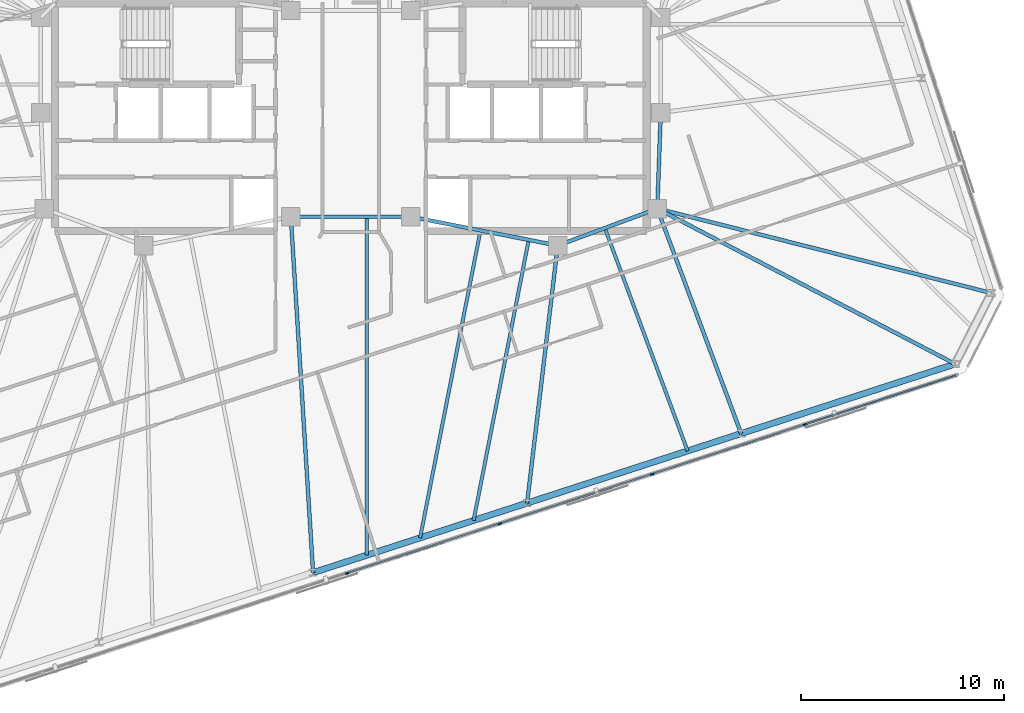
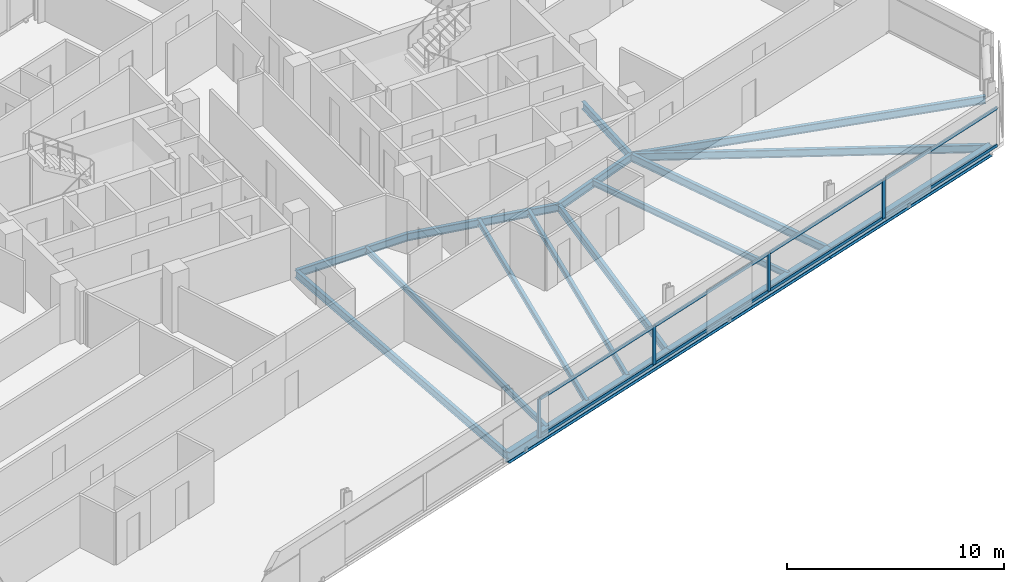
# One storey, part 7 of 19: 16 beams, 12 members, 1 element without a shape of its own.
"""IFC4 building model written with IfcOpenShell, lengths in metres."""

import ifcopenshell
import ifcopenshell.guid

model = None  # the IFC model being written
_history = None  # IfcOwnerHistory: only IFC2X3 demands one
_inside = {}  # id of a spatial element -> (the spatial element, [elements in it])
_under = {}  # id of a project, library or spatial element -> (it, [spatial elements below it])
_declared = {}  # id of a project -> (the project, [libraries it declares])
_typed = {}  # id of a type object -> (the type object, [elements of that type])
_made_of = {}  # id of a material, layer set ... -> (it, [elements and type objects made of it])


def new_model(schema):
    """Start an empty IFC model of exactly this schema.

    Asked for "IFC4X3", IfcOpenShell would pick the latest addendum, in which some entities
    have other attributes; the version numbers below select the first issue.
    IFC2X3 requires an IfcOwnerHistory on every rooted entity: one is made here for all.
    """
    global model, _history
    if schema == "IFC4X3":
        model = ifcopenshell.file(schema_version=(4, 3, 0, 0))
    else:
        model = ifcopenshell.file(schema=schema)
    _inside.clear()
    _under.clear()
    _declared.clear()
    _typed.clear()
    _made_of.clear()
    _history = None
    if model.schema == "IFC2X3":
        org = make("IfcOrganization", Name="unknown")
        user = make(
            "IfcPersonAndOrganization",
            ThePerson=make("IfcPerson", FamilyName="unknown"),
            TheOrganization=org,
        )
        app = make(
            "IfcApplication",
            ApplicationDeveloper=org,
            Version="unknown",
            ApplicationFullName="unknown",
            ApplicationIdentifier="unknown",
        )
        _history = make(
            "IfcOwnerHistory",
            OwningUser=user,
            OwningApplication=app,
            ChangeAction="ADDED",
            CreationDate=0,
        )
    return model


def make(cls, **values):
    """One entity of the class cls with the attributes given. An attribute that is None is left unset."""
    return model.create_entity(
        cls, **{name: value for name, value in values.items() if value is not None}
    )


def rooted(cls, **values):
    """An entity with a GlobalId (a new one), such as an element, a storey or a relation."""
    return make(cls, GlobalId=ifcopenshell.guid.new(), OwnerHistory=_history, **values)


def si_unit(unit_type, name, prefix=None):
    """IfcSIUnit, for example si_unit("LENGTHUNIT", "METRE", prefix="MILLI")."""
    return make("IfcSIUnit", UnitType=unit_type, Prefix=prefix, Name=name)


def assignment(units):
    """IfcUnitAssignment: the units of a project."""
    return None if units is None else make("IfcUnitAssignment", Units=units)


def point(xyz):
    """IfcCartesianPoint."""
    return None if xyz is None else make("IfcCartesianPoint", Coordinates=xyz)


def direction(xyz):
    """IfcDirection."""
    return None if xyz is None else make("IfcDirection", DirectionRatios=xyz)


def frame(location, z_axis=None, x_axis=None):
    """IfcAxis2Placement3D, a coordinate frame: its origin and axes. An axis left out is left unset."""
    return make(
        "IfcAxis2Placement3D",
        Location=point(location),
        Axis=direction(z_axis),
        RefDirection=direction(x_axis),
    )


def frame_2d(location, x_axis=None):
    """IfcAxis2Placement2D, a coordinate frame in the plane: its origin and x axis."""
    return make(
        "IfcAxis2Placement2D", Location=point(location), RefDirection=direction(x_axis)
    )


def origin():
    """The frame at (0, 0, 0) with its axes left unset."""
    return frame((0.0, 0.0, 0.0))


def origin_2d():
    """The frame at (0, 0) in the plane with its x axis left unset."""
    return frame_2d((0.0, 0.0))


def place(relative_to, where):
    """IfcLocalPlacement: puts the frame where relative to a parent placement (None: the world)."""
    return make(
        "IfcLocalPlacement", PlacementRelTo=relative_to, RelativePlacement=where
    )


def context(
    kind, dimensions, precision=None, world=None, true_north=None, identifier=None
):
    """IfcGeometricRepresentationContext, for example the 3D "Model" context."""
    return make(
        "IfcGeometricRepresentationContext",
        ContextIdentifier=identifier,
        ContextType=kind,
        CoordinateSpaceDimension=dimensions,
        Precision=precision,
        WorldCoordinateSystem=world,
        TrueNorth=true_north,
    )


def subcontext(parent, identifier, kind, view, scale=None):
    """IfcGeometricRepresentationSubContext, for example "Body" below "Model"."""
    return make(
        "IfcGeometricRepresentationSubContext",
        ContextIdentifier=identifier,
        ContextType=kind,
        ParentContext=parent,
        TargetScale=scale,
        TargetView=view,
    )


def project(units=None, contexts=None):
    """IfcProject with its units and contexts."""
    return rooted(
        "IfcProject",
        Name="project",
        RepresentationContexts=contexts,
        UnitsInContext=assignment(units),
    )


def spatial(cls, under=None, at=None, **own):
    """A site, building, storey or space (cls), placed at a placement, below another one or the project."""
    s = rooted(cls, ObjectPlacement=at, **own)
    if under is not None:
        _under.setdefault(under.id(), (under, []))[1].append(s)
    return s


def profile(cls, at=None, kind="AREA", **sizes):
    """A parametric profile (cls). Its sizes go by their IFC names, for example OverallWidth=200.0."""
    return make(cls, ProfileType=kind, Position=at, **sizes)


def rectangle(**sizes):
    """IfcRectangleProfileDef."""
    return profile("IfcRectangleProfileDef", **sizes)


def i_section(**sizes):
    """IfcIShapeProfileDef."""
    return profile("IfcIShapeProfileDef", **sizes)


def extrude(swept, where, along, depth):
    """IfcExtrudedAreaSolid: the profile swept, set in the frame where, extruded along a direction by depth."""
    return make(
        "IfcExtrudedAreaSolid",
        SweptArea=swept,
        Position=where,
        ExtrudedDirection=direction(along),
        Depth=depth,
    )


def shape(context_of_items, identifier, shape_type, items):
    """IfcShapeRepresentation: the items that make up one representation, for example the "Body"."""
    return make(
        "IfcShapeRepresentation",
        ContextOfItems=context_of_items,
        RepresentationIdentifier=identifier,
        RepresentationType=shape_type,
        Items=items,
    )


def material(Name=None, Category=None):
    """IfcMaterial."""
    return make("IfcMaterial", Name=Name, Category=Category)


def material_profile(
    of_material, cross_section, Name=None, Category=None, Priority=None
):
    """IfcMaterialProfile: a cross section and its material."""
    return make(
        "IfcMaterialProfile",
        Name=Name,
        Material=of_material,
        Profile=cross_section,
        Priority=Priority,
        Category=Category,
    )


def profile_set(profiles, Name=None, composite=None):
    """IfcMaterialProfileSet."""
    return make(
        "IfcMaterialProfileSet",
        Name=Name,
        MaterialProfiles=profiles,
        CompositeProfile=composite,
    )


def made_of(thing, what):
    """Note that an element or type object is made of a material, layer set ...; save() writes the relation."""
    if what is not None:
        _made_of.setdefault(what.id(), (what, []))[1].append(thing)
    return thing


def type_object(cls, material=None, **own):
    """A type object (cls), such as IfcWallType, which elements share."""
    return made_of(rooted(cls, **own), material)


def element(
    cls,
    number,
    at=None,
    inside=None,
    cuts=None,
    type_object=None,
    material=None,
    context=None,
    identifier="Body",
    shape_type=None,
    held_by="IfcProductDefinitionShape",
    body=None,
    shapes=None,
    **own,
):
    """One element of the class cls, such as IfcWall. Its Tag is "e" and its number.

    at: its placement. inside: the storey or other place that contains it. cuts: it is an
    opening in that element (IfcRelVoidsElement). A single representation is given by context,
    identifier, shape_type and body (its items); several are given by shapes. held_by: the class
    of the entity that holds the representations. save() writes the other relations.
    """
    e = rooted(cls, Tag="e%d" % number, ObjectPlacement=at, **own)
    if body is not None:
        shapes = [shape(context, identifier, shape_type, body)]
    if shapes is not None:
        e.Representation = make(held_by, Representations=shapes)
    if inside is not None:
        _inside.setdefault(inside.id(), (inside, []))[1].append(e)
    if cuts is not None:
        rooted(
            "IfcRelVoidsElement", RelatingBuildingElement=cuts, RelatedOpeningElement=e
        )
    if type_object is not None:
        _typed.setdefault(type_object.id(), (type_object, []))[1].append(e)
    return made_of(e, material)


def aggregate(whole, parts):
    """IfcRelAggregates: a whole, such as a stair, and the parts it consists of."""
    return rooted("IfcRelAggregates", RelatingObject=whole, RelatedObjects=parts)


def save(model, path):
    """Write the relations noted so far, then the file.

    IfcRelAggregates (storeys below a building ...), IfcRelContainedInSpatialStructure (elements
    in a storey), IfcRelDefinesByType, IfcRelAssociatesMaterial and IfcRelDeclares: one each for
    every whole, place, type object, material and project.
    """
    for whole, parts in _under.values():
        aggregate(whole, parts)
    for where, things in _inside.values():
        rooted(
            "IfcRelContainedInSpatialStructure",
            RelatedElements=things,
            RelatingStructure=where,
        )
    for kind, things in _typed.values():
        rooted("IfcRelDefinesByType", RelatedObjects=things, RelatingType=kind)
    for what, things in _made_of.values():
        rooted("IfcRelAssociatesMaterial", RelatedObjects=things, RelatingMaterial=what)
    for by, libraries in _declared.values():
        rooted("IfcRelDeclares", RelatingContext=by, RelatedDefinitions=libraries)
    model.write(path)


model = new_model("IFC4")

# Units and contexts
model_context = context("Model", 3, precision=1e-05, world=origin(), true_north=direction((0.0, 1.0)))
body_context = subcontext(model_context, "Body", "Model", "MODEL_VIEW")
ifc_project = project(units=[si_unit("LENGTHUNIT", "METRE"), si_unit("AREAUNIT", "SQUARE_METRE"), si_unit("VOLUMEUNIT", "CUBIC_METRE"), si_unit("PLANEANGLEUNIT", "RADIAN"), si_unit("MASSUNIT", "GRAM", prefix="KILO")], contexts=[model_context])

# Site, building, storey
site_placement = place(None, origin())
site = spatial("IfcSite", under=ifc_project, at=site_placement, CompositionType="ELEMENT")
building_placement = place(site_placement, origin())
building = spatial("IfcBuilding", under=site, at=building_placement, Name="Menara Jurai Vektor", CompositionType="ELEMENT")
storey_placement = place(building_placement, frame((0.0, 0.0, 251.10009765625)))
storey = spatial("IfcBuildingStorey", under=building, at=storey_placement, Name="L67", CompositionType="ELEMENT", Elevation=251.10009765625)

# Curtain wall, members
ifc_material_1 = material(Name="Anodised Pale Aluminium & Low-E Double Glazing", Category="aluminium")
curtain_wall_type = type_object("IfcCurtainWallType", Name="CW-BLK4", PredefinedType="NOTDEFINED", material=ifc_material_1)
curtain_wall_placement = place(storey_placement, origin())
curtain_wall = element("IfcCurtainWall", 1, at=curtain_wall_placement, inside=storey, type_object=curtain_wall_type, Name="Unitised Curtain Wall L67 F01", PredefinedType="NOTDEFINED")
ifc_material_2 = material(Name="Anodised Pale Aluminium Mullion", Category="aluminium")
ifc_material_profile_1 = material_profile(ifc_material_2, rectangle(XDim=0.080078125, YDim=0.18994140625, at=origin_2d()), Name="ALU MUL 80x190")
ifc_profile_set_1 = profile_set([ifc_material_profile_1], Name="Anodised Pale Aluminium Mullion")
member_type_1 = type_object("IfcMemberType", Name="CW-BLK4-MUL", PredefinedType="MULLION", material=ifc_profile_set_1)
member_1_placement = place(storey_placement, frame((-0.17236328125, -22.4404296875, 0.0), z_axis=(0.0, 0.0, 1.0), x_axis=(-0.309017344167, 0.951056402641, 0.0)))
member_1 = element("IfcMember", 2, at=member_1_placement, type_object=member_type_1, Name="CW-04 mullion 4", PredefinedType="MULLION", context=body_context, shape_type="SweptSolid", body=[
    extrude(rectangle(XDim=0.080078125, YDim=0.18994140625, at=origin_2d()), origin(), (0.0, 0.0, 1.0), 2.1748046875),
])
member_2_placement = place(storey_placement, frame((7.3330078125, -20.001953125, 0.0), z_axis=(0.0, 0.0, 1.0), x_axis=(-0.309017344167, 0.951056402641, 0.0)))
member_2 = element("IfcMember", 3, at=member_2_placement, type_object=member_type_1, Name="CW-04 mullion 5", PredefinedType="MULLION", context=body_context, shape_type="SweptSolid", body=[
    extrude(rectangle(XDim=0.080078125, YDim=0.18994140625, at=origin_2d()), origin(), (0.0, 0.0, 1.0), 2.1748046875),
])
member_3_placement = place(storey_placement, frame((14.838134765625, -17.563232421875, 0.0), z_axis=(0.0, 0.0, 1.0), x_axis=(-0.309017344167, 0.951056402641, 0.0)))
member_3 = element("IfcMember", 4, at=member_3_placement, type_object=member_type_1, Name="CW-04 mullion 6", PredefinedType="MULLION", context=body_context, shape_type="SweptSolid", body=[
    extrude(rectangle(XDim=0.080078125, YDim=0.18994140625, at=origin_2d()), origin(), (0.0, 0.0, 1.0), 2.1748046875),
])
member_4_placement = place(storey_placement, frame((22.34326171875, -15.124755859375, 0.0), z_axis=(0.0, 0.0, 1.0), x_axis=(-0.309017344167, 0.951056402641, 0.0)))
member_4 = element("IfcMember", 5, at=member_4_placement, type_object=member_type_1, Name="CW-04 mullion 7", PredefinedType="MULLION", context=body_context, shape_type="SweptSolid", body=[
    extrude(rectangle(XDim=0.080078125, YDim=0.18994140625, at=origin_2d()), origin(), (0.0, 0.0, 1.0), 2.1748046875),
])
ifc_material_3 = material(Name="Anodised Pale Aluminium Transom", Category="aluminium")
ifc_material_profile_2 = material_profile(ifc_material_3, rectangle(XDim=0.080078125, YDim=0.1650390625, at=origin_2d()), Name="ALU TRN 80x165")
ifc_profile_set_2 = profile_set([ifc_material_profile_2], Name="Anodised Pale Aluminium Transom")
member_type_2 = type_object("IfcMemberType", Name="CW-BLK4-TRN", PredefinedType="USERDEFINED", material=ifc_profile_set_2)
member_5_placement = place(storey_placement, frame((-0.13427734375, -22.427978515625, 0.039794921875), z_axis=(0.951059330237, 0.309008333817, 0.0), x_axis=(-0.309008333817, 0.951059330237, 0.0)))
member_5 = element("IfcMember", 6, at=member_5_placement, type_object=member_type_2, Name="CW-04 transom 4.1", ObjectType="TRANSOM", PredefinedType="USERDEFINED", context=body_context, shape_type="SweptSolid", body=[
    extrude(rectangle(XDim=0.080078125, YDim=0.1650390625, at=origin_2d()), origin(), (0.0, 0.0, 1.0), 7.8115234375),
])
member_6_placement = place(storey_placement, frame((-0.13427734375, -22.427978515625, 2.135009765625), z_axis=(0.951059330237, 0.309008333817, 0.0), x_axis=(-0.309008333817, 0.951059330237, 0.0)))
member_6 = element("IfcMember", 7, at=member_6_placement, type_object=member_type_2, Name="CW-04 transom 4.2", ObjectType="TRANSOM", PredefinedType="USERDEFINED", context=body_context, shape_type="SweptSolid", body=[
    extrude(rectangle(XDim=0.080078125, YDim=0.1650390625, at=origin_2d()), origin(), (0.0, 0.0, 1.0), 7.8115234375),
])
member_7_placement = place(storey_placement, frame((7.37109375, -19.989501953125, 0.039794921875), z_axis=(0.95105634578, 0.309017519167, 0.0), x_axis=(-0.309017519167, 0.95105634578, 0.0)))
member_7 = element("IfcMember", 8, at=member_7_placement, type_object=member_type_2, Name="CW-04 transom 5.1", ObjectType="TRANSOM", PredefinedType="USERDEFINED", context=body_context, shape_type="SweptSolid", body=[
    extrude(rectangle(XDim=0.080078125, YDim=0.1650390625, at=origin_2d()), origin(), (0.0, 0.0, 1.0), 7.811279296875),
])
member_8_placement = place(storey_placement, frame((7.37109375, -19.989501953125, 2.135009765625), z_axis=(0.95105634578, 0.309017519167, 0.0), x_axis=(-0.309017519167, 0.95105634578, 0.0)))
member_8 = element("IfcMember", 9, at=member_8_placement, type_object=member_type_2, Name="CW-04 transom 5.2", ObjectType="TRANSOM", PredefinedType="USERDEFINED", context=body_context, shape_type="SweptSolid", body=[
    extrude(rectangle(XDim=0.080078125, YDim=0.1650390625, at=origin_2d()), origin(), (0.0, 0.0, 1.0), 7.811279296875),
])
member_9_placement = place(storey_placement, frame((14.876220703125, -17.551025390625, 0.039794921875), z_axis=(0.95104715984, 0.309045789099, 0.0), x_axis=(-0.309045789099, 0.95104715984, 0.0)))
member_9 = element("IfcMember", 10, at=member_9_placement, type_object=member_type_2, Name="CW-04 transom 6.1", ObjectType="TRANSOM", PredefinedType="USERDEFINED", context=body_context, shape_type="SweptSolid", body=[
    extrude(rectangle(XDim=0.080078125, YDim=0.1650390625, at=origin_2d()), origin(), (0.0, 0.0, 1.0), 7.811279296875),
])
member_10_placement = place(storey_placement, frame((14.876220703125, -17.551025390625, 2.135009765625), z_axis=(0.95104715984, 0.309045789099, 0.0), x_axis=(-0.309045789099, 0.95104715984, 0.0)))
member_10 = element("IfcMember", 11, at=member_10_placement, type_object=member_type_2, Name="CW-04 transom 6.2", ObjectType="TRANSOM", PredefinedType="USERDEFINED", context=body_context, shape_type="SweptSolid", body=[
    extrude(rectangle(XDim=0.080078125, YDim=0.1650390625, at=origin_2d()), origin(), (0.0, 0.0, 1.0), 7.811279296875),
])
member_11_placement = place(storey_placement, frame((22.38134765625, -15.1123046875, 0.039794921875), z_axis=(0.951062230089, 0.308999408573, 0.0), x_axis=(-0.308999408573, 0.951062230089, 0.0)))
member_11 = element("IfcMember", 12, at=member_11_placement, type_object=member_type_2, Name="CW-04 transom 7.1", ObjectType="TRANSOM", PredefinedType="USERDEFINED", context=body_context, shape_type="SweptSolid", body=[
    extrude(rectangle(XDim=0.080078125, YDim=0.1650390625, at=origin_2d()), origin(), (0.0, 0.0, 1.0), 7.771484375),
])
member_12_placement = place(storey_placement, frame((22.38134765625, -15.1123046875, 2.135009765625), z_axis=(0.951062230089, 0.308999408573, 0.0), x_axis=(-0.308999408573, 0.951062230089, 0.0)))
member_12 = element("IfcMember", 13, at=member_12_placement, type_object=member_type_2, Name="CW-04 transom 7.2", ObjectType="TRANSOM", PredefinedType="USERDEFINED", context=body_context, shape_type="SweptSolid", body=[
    extrude(rectangle(XDim=0.080078125, YDim=0.1650390625, at=origin_2d()), origin(), (0.0, 0.0, 1.0), 7.771484375),
])
aggregate(curtain_wall, [member_1, member_2, member_3, member_4, member_5, member_6, member_7, member_8, member_9, member_10, member_11, member_12])

# Beams
ifc_material_4 = material(Name="Steel S355", Category="steel")
ifc_material_profile_3 = material_profile(ifc_material_4, i_section(OverallWidth=0.18505859375, OverallDepth=0.429931640625, WebThickness=0.010986328125, FlangeThickness=0.01806640625, at=origin_2d()), Name="PG 430x185x76")
ifc_profile_set_3 = profile_set([ifc_material_profile_3], Name="Steel S355")
beam_type_1 = type_object("IfcBeamType", Name="STR-BM-430", PredefinedType="BEAM", material=ifc_profile_set_3)
beam_1_placement = place(storey_placement, frame((15.080078125, -4.5, -0.440185546875), z_axis=(0.035977314146, 0.999352606874, 0.0), x_axis=(-0.999352606874, 0.035977314146, 0.0)))
element("IfcBeam", 14, at=beam_1_placement, inside=storey, type_object=beam_type_1, Name="Core Ring Header Girder L67-CHE-E2", PredefinedType="BEAM", context=body_context, shape_type="SweptSolid", body=[
    extrude(i_section(OverallWidth=0.18505859375, OverallDepth=0.429931640625, WebThickness=0.010986328125, FlangeThickness=0.01806640625, at=origin_2d()), origin(), (0.0, 0.0, 1.0), 4.72314453125),
])
beam_2_placement = place(storey_placement, frame((10.179931640625, -6.320068359375, -0.440185546875), z_axis=(0.937424400887, 0.348188874925, 0.0), x_axis=(-0.348188874925, 0.937424400887, 0.0)))
element("IfcBeam", 15, at=beam_2_placement, inside=storey, type_object=beam_type_1, Name="Core Ring Header Girder L67-CHE-S1", PredefinedType="BEAM", context=body_context, shape_type="SweptSolid", body=[
    extrude(i_section(OverallWidth=0.18505859375, OverallDepth=0.429931640625, WebThickness=0.010986328125, FlangeThickness=0.01806640625, at=origin_2d()), origin(), (0.0, 0.0, 1.0), 5.227294921875),
])
beam_3_placement = place(storey_placement, frame((2.949951171875, -4.89990234375, -0.440185546875), z_axis=(0.981249044334, -0.192744164614, 0.0), x_axis=(0.192744164614, 0.981249044334, 0.0)))
element("IfcBeam", 16, at=beam_3_placement, inside=storey, type_object=beam_type_1, Name="Core Ring Header Girder L67-CHE-S2", PredefinedType="BEAM", context=body_context, shape_type="SweptSolid", body=[
    extrude(i_section(OverallWidth=0.18505859375, OverallDepth=0.429931640625, WebThickness=0.010986328125, FlangeThickness=0.01806640625, at=origin_2d()), origin(), (0.0, 0.0, 1.0), 7.3681640625),
])
beam_4_placement = place(storey_placement, frame((-2.949951171875, -4.89990234375, -0.440185546875), z_axis=(1.0, 0.0, 0.0), x_axis=(0.0, 1.0, 0.0)))
element("IfcBeam", 17, at=beam_4_placement, inside=storey, type_object=beam_type_1, Name="Core Ring Header Girder L67-CC-1", PredefinedType="BEAM", context=body_context, shape_type="SweptSolid", body=[
    extrude(i_section(OverallWidth=0.18505859375, OverallDepth=0.429931640625, WebThickness=0.010986328125, FlangeThickness=0.01806640625, at=origin_2d()), origin(), (0.0, 0.0, 1.0), 5.89990234375),
])
beam_5_placement = place(storey_placement, frame((-1.854248046875, -22.40869140625, -0.440185546875), z_axis=(-0.062457995419, 0.998047593458, 0.0), x_axis=(-0.998047593458, -0.062457995419, 0.0)))
element("IfcBeam", 18, at=beam_5_placement, inside=storey, type_object=beam_type_1, Name="Radial Floor Girder L67-S3", PredefinedType="BEAM", context=body_context, shape_type="SweptSolid", body=[
    extrude(i_section(OverallWidth=0.18505859375, OverallDepth=0.429931640625, WebThickness=0.010986328125, FlangeThickness=0.01806640625, at=origin_2d()), origin(), (0.0, 0.0, 1.0), 17.54296875),
])
beam_6_placement = place(storey_placement, frame((8.675048828125, -18.987548828125, -0.440185546875), z_axis=(0.117969360513, 0.99301723549, 0.0), x_axis=(-0.99301723549, 0.117969360513, 0.0)))
element("IfcBeam", 19, at=beam_6_placement, inside=storey, type_object=beam_type_1, Name="Radial Floor Girder L67-S4", PredefinedType="BEAM", context=body_context, shape_type="SweptSolid", body=[
    extrude(i_section(OverallWidth=0.18505859375, OverallDepth=0.429931640625, WebThickness=0.010986328125, FlangeThickness=0.01806640625, at=origin_2d()), origin(), (0.0, 0.0, 1.0), 12.756591796875),
])
beam_7_placement = place(storey_placement, frame((19.204345703125, -15.56640625, -0.440185546875), z_axis=(-0.349219718154, 0.93704086808, 0.0), x_axis=(-0.93704086808, -0.349219718154, 0.0)))
element("IfcBeam", 20, at=beam_7_placement, inside=storey, type_object=beam_type_1, Name="Radial Floor Girder L67-S5", PredefinedType="BEAM", context=body_context, shape_type="SweptSolid", body=[
    extrude(i_section(OverallWidth=0.18505859375, OverallDepth=0.429931640625, WebThickness=0.010986328125, FlangeThickness=0.01806640625, at=origin_2d()), origin(), (0.0, 0.0, 1.0), 11.81005859375),
])
beam_8_placement = place(storey_placement, frame((29.7333984375, -12.14501953125, -0.440185546875), z_axis=(-0.886589587068, 0.462556919851, 0.0), x_axis=(-0.462556919851, -0.886589587068, 0.0)))
element("IfcBeam", 21, at=beam_8_placement, inside=storey, type_object=beam_type_1, Name="Radial Floor Girder L67-S6", PredefinedType="BEAM", context=body_context, shape_type="SweptSolid", body=[
    extrude(i_section(OverallWidth=0.18505859375, OverallDepth=0.429931640625, WebThickness=0.010986328125, FlangeThickness=0.01806640625, at=origin_2d()), origin(), (0.0, 0.0, 1.0), 16.52783203125),
])
beam_9_placement = place(storey_placement, frame((31.513427734375, -8.652099609375, -0.440185546875), z_axis=(-0.969531956771, 0.244964864418, 0.0), x_axis=(-0.244964864418, -0.969531956771, 0.0)))
element("IfcBeam", 22, at=beam_9_placement, inside=storey, type_object=beam_type_1, Name="Radial Floor Girder L67-E1", PredefinedType="BEAM", context=body_context, shape_type="SweptSolid", body=[
    extrude(i_section(OverallWidth=0.18505859375, OverallDepth=0.429931640625, WebThickness=0.010986328125, FlangeThickness=0.01806640625, at=origin_2d()), origin(), (0.0, 0.0, 1.0), 16.94970703125),
])
ifc_material_profile_4 = material_profile(ifc_material_4, i_section(OverallWidth=0.1650390625, OverallDepth=0.330078125, WebThickness=0.009033203125, FlangeThickness=0.013916015625, at=origin_2d()), Name="PG 330x165x46")
ifc_profile_set_4 = profile_set([ifc_material_profile_4], Name="Steel S355")
beam_type_2 = type_object("IfcBeamType", Name="STR-JS-330", PredefinedType="JOIST", material=ifc_profile_set_4)
beam_10_placement = place(storey_placement, frame((0.778076171875, -21.55322265625, -0.39013671875), z_axis=(0.0, 1.0, 0.0), x_axis=(-1.0, 0.0, 0.0)))
element("IfcBeam", 23, at=beam_10_placement, inside=storey, type_object=beam_type_2, Name="Radial Secondary Floor Joist L67-JS05", PredefinedType="JOIST", context=body_context, shape_type="SweptSolid", body=[
    extrude(i_section(OverallWidth=0.1650390625, OverallDepth=0.330078125, WebThickness=0.009033203125, FlangeThickness=0.013916015625, at=origin_2d()), origin(), (0.0, 0.0, 1.0), 16.6533203125),
])
beam_11_placement = place(storey_placement, frame((3.410400390625, -20.697998046875, -0.39013671875), z_axis=(0.192721610081, 0.981253474393, 0.0), x_axis=(-0.981253474393, 0.192721610081, 0.0)))
element("IfcBeam", 24, at=beam_11_placement, inside=storey, type_object=beam_type_2, Name="Radial Secondary Floor Joist L67-JS06", PredefinedType="JOIST", context=body_context, shape_type="SweptSolid", body=[
    extrude(i_section(OverallWidth=0.1650390625, OverallDepth=0.330078125, WebThickness=0.009033203125, FlangeThickness=0.013916015625, at=origin_2d()), origin(), (0.0, 0.0, 1.0), 15.413330078125),
])
beam_12_placement = place(storey_placement, frame((6.042724609375, -19.8427734375, -0.39013671875), z_axis=(0.192720535629, 0.981253685418, 0.0), x_axis=(-0.981253685418, 0.192720535629, 0.0)))
element("IfcBeam", 25, at=beam_12_placement, inside=storey, type_object=beam_type_2, Name="Radial Secondary Floor Joist L67-JS07", PredefinedType="JOIST", context=body_context, shape_type="SweptSolid", body=[
    extrude(i_section(OverallWidth=0.1650390625, OverallDepth=0.330078125, WebThickness=0.009033203125, FlangeThickness=0.013916015625, at=origin_2d()), origin(), (0.0, 0.0, 1.0), 14.066650390625),
])
beam_13_placement = place(storey_placement, frame((16.572021484375, -16.421630859375, -0.39013671875), z_axis=(-0.348179715909, 0.937427802782, 0.0), x_axis=(-0.937427802782, -0.348179715909, 0.0)))
element("IfcBeam", 26, at=beam_13_placement, inside=storey, type_object=beam_type_2, Name="Radial Secondary Floor Joist L67-JS08", PredefinedType="JOIST", context=body_context, shape_type="SweptSolid", body=[
    extrude(i_section(OverallWidth=0.1650390625, OverallDepth=0.330078125, WebThickness=0.009033203125, FlangeThickness=0.013916015625, at=origin_2d()), origin(), (0.0, 0.0, 1.0), 11.695068359375),
])
ifc_material_profile_5 = material_profile(ifc_material_4, i_section(OverallWidth=0.306884765625, OverallDepth=0.6201171875, WebThickness=0.013916015625, FlangeThickness=0.02392578125, FilletRadius=0.01708984375, at=origin_2d()), Name="UKB 610x305x179")
ifc_profile_set_5 = profile_set([ifc_material_profile_5], Name="Steel S355")
beam_type_3 = type_object("IfcBeamType", Name="STR-SP-610", PredefinedType="SPANDREL", material=ifc_profile_set_5)
for number, where, z_axis, x_axis, name in (
    (27, (-1.854248046875, -22.40869140625, -0.53515625), (0.951057401967, 0.309014268544, 0.0), (-0.309014268544, 0.951057401967, 0.0), "Exoskeleton Spandrel Beam L67-03"),
    (28, (8.675048828125, -18.987548828125, -0.53515625), (0.951057401967, 0.309014268544, 0.0), (-0.309014268544, 0.951057401967, 0.0), "Exoskeleton Spandrel Beam L67-04"),
    (29, (19.204345703125, -15.56640625, -0.53515625), (0.951048814879, 0.309040695892, 0.0), (-0.309040695892, 0.951048814879, 0.0), "Exoskeleton Spandrel Beam L67-05"),
):
    element("IfcBeam", number, at=place(storey_placement, frame(where, z_axis=z_axis, x_axis=x_axis)), inside=storey, type_object=beam_type_3, Name=name, PredefinedType="SPANDREL", context=body_context, shape_type="SweptSolid", body=[
        extrude(i_section(OverallWidth=0.306884765625, OverallDepth=0.6201171875, WebThickness=0.013916015625, FlangeThickness=0.02392578125, FilletRadius=0.01708984375, at=origin_2d()), origin(), (0.0, 0.0, 1.0), 11.071044921875),
    ])

save(model, "model.ifc")
